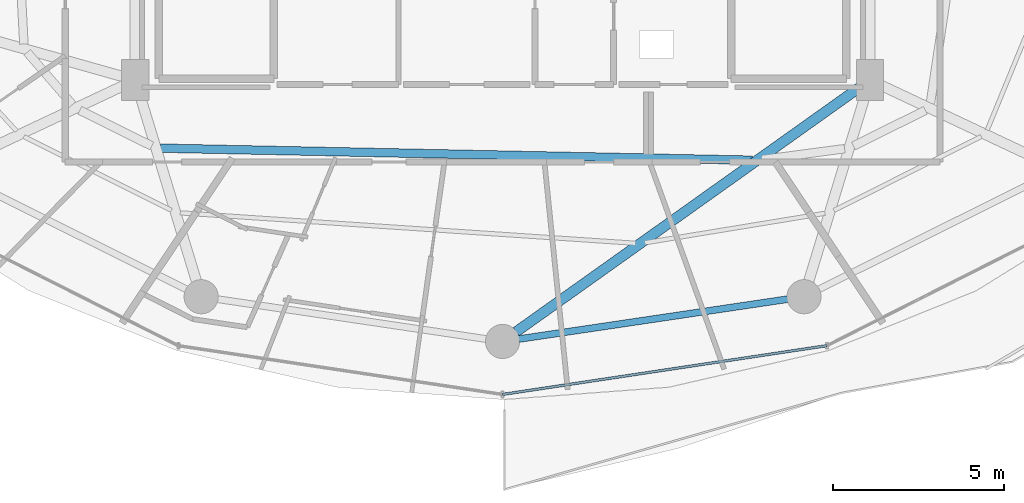
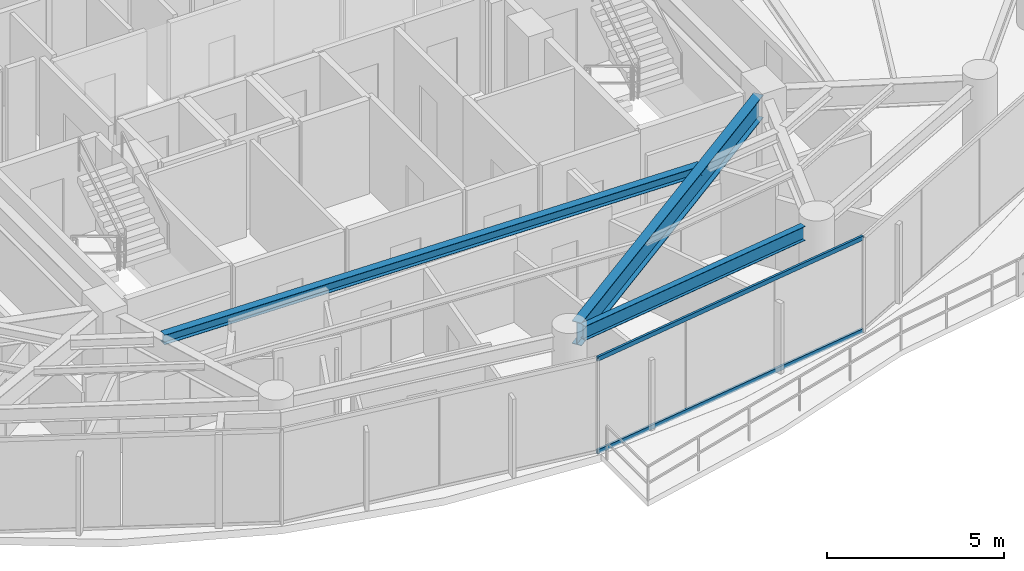
# One storey, part 7 of 30: 3 beams, 2 members, 1 element without a shape of its own.
"""IFC4 building model written with IfcOpenShell, lengths in metres."""

from ifc_helpers import new_model, si_unit, direction, frame, origin, origin_2d, place, context, subcontext, project, spatial, hollow_rectangle, i_section, extrude, material, material_profile, profile_set, type_object, element, aggregate, save


model = new_model("IFC4")

# Units and contexts
model_context = context("Model", 3, precision=1e-05, world=origin(), true_north=direction((0.0, 1.0)))
body_context = subcontext(model_context, "Body", "Model", "MODEL_VIEW")
ifc_project = project(units=[si_unit("LENGTHUNIT", "METRE"), si_unit("AREAUNIT", "SQUARE_METRE"), si_unit("VOLUMEUNIT", "CUBIC_METRE"), si_unit("PLANEANGLEUNIT", "RADIAN"), si_unit("MASSUNIT", "GRAM", prefix="KILO")], contexts=[model_context])

# Site, building, storey
site_placement = place(None, origin())
site = spatial("IfcSite", under=ifc_project, at=site_placement, CompositionType="ELEMENT")
building_placement = place(site_placement, origin())
building = spatial("IfcBuilding", under=site, at=building_placement, Name="Vorneva Point Tower", CompositionType="ELEMENT")
storey_placement = place(building_placement, frame((0.0, 0.0, 157.10009765625)))
storey = spatial("IfcBuildingStorey", under=building, at=storey_placement, Name="L42", CompositionType="ELEMENT", Elevation=157.10009765625)

# Beams
ifc_material_1 = material(Name="Steel S355", Category="steel")
ifc_material_profile_1 = material_profile(ifc_material_1, i_section(OverallWidth=0.300048828125, OverallDepth=0.7880859375, WebThickness=0.014404296875, FlangeThickness=0.02197265625, at=origin_2d()), Name="80Sh1")
ifc_profile_set_1 = profile_set([ifc_material_profile_1], Name="Steel S355")
beam_type_1 = type_object("IfcBeamType", Name="BM-GRD-80Sh1", PredefinedType="USERDEFINED", material=ifc_profile_set_1)
beam_1_placement = place(storey_placement, frame((38.397705078125, 9.0830078125, 2.845947265625), z_axis=(0.814751382529, 0.579810473057, 0.0), x_axis=(-0.579810473057, 0.814751382529, 0.0)))
element("IfcBeam", 1, at=beam_1_placement, inside=storey, type_object=beam_type_1, Name="L42 Radial Primary Girder 13", ObjectType="GIRDER", PredefinedType="USERDEFINED", context=body_context, shape_type="SweptSolid", body=[
    extrude(i_section(OverallWidth=0.300048828125, OverallDepth=0.7880859375, WebThickness=0.014404296875, FlangeThickness=0.02197265625, at=origin_2d()), origin(), (0.0, 0.0, 1.0), 12.365966796875),
])
ifc_material_profile_2 = material_profile(ifc_material_1, i_section(OverallWidth=0.2490234375, OverallDepth=0.333984375, WebThickness=0.008056640625, FlangeThickness=0.010986328125, at=origin_2d()), Name="35Sh1")
ifc_profile_set_2 = profile_set([ifc_material_profile_2], Name="Steel S355")
beam_type_2 = type_object("IfcBeamType", Name="BM-SEC-35Sh1", PredefinedType="BEAM", material=ifc_profile_set_2)
beam_2_placement = place(storey_placement, frame((27.993408203125, 14.457275390625, 3.072998046875), z_axis=(0.999792890829, -0.020351300897, 0.0), x_axis=(0.020351300897, 0.999792890829, 0.0)))
element("IfcBeam", 2, at=beam_2_placement, inside=storey, type_object=beam_type_2, Name="L42 Secondary Floor Beam 2.12", PredefinedType="BEAM", context=body_context, shape_type="SweptSolid", body=[
    extrude(i_section(OverallWidth=0.2490234375, OverallDepth=0.333984375, WebThickness=0.008056640625, FlangeThickness=0.010986328125, at=origin_2d()), origin(), (0.0, 0.0, 1.0), 17.32275390625),
])
ifc_material_profile_3 = material_profile(ifc_material_1, i_section(OverallWidth=0.199951171875, OverallDepth=0.491943359375, WebThickness=0.0087890625, FlangeThickness=0.011962890625, at=origin_2d()), Name="50B1")
ifc_profile_set_3 = profile_set([ifc_material_profile_3], Name="Steel S355")
beam_type_3 = type_object("IfcBeamType", Name="BM-SPN-50B1", PredefinedType="SPANDREL", material=ifc_profile_set_3)
beam_3_placement = place(storey_placement, frame((38.479736328125, 8.87109375, 2.993896484375), z_axis=(0.989161199046, 0.146833655211, 0.0), x_axis=(-0.146833655211, 0.989161199046, 0.0)))
element("IfcBeam", 3, at=beam_3_placement, inside=storey, type_object=beam_type_3, Name="L42 Perimeter Spandrel Ring Beam 13", PredefinedType="SPANDREL", context=body_context, shape_type="SweptSolid", body=[
    extrude(i_section(OverallWidth=0.199951171875, OverallDepth=0.491943359375, WebThickness=0.0087890625, FlangeThickness=0.011962890625, at=origin_2d()), origin(), (0.0, 0.0, 1.0), 7.94775390625),
])

# Curtain wall, members
ifc_material_2 = material(Name="Pale anodised aluminium", Category="aluminium")
curtain_wall_type = type_object("IfcCurtainWallType", Name="CW-RES-SYS", PredefinedType="NOTDEFINED", material=ifc_material_2)
curtain_wall_placement = place(storey_placement, origin())
curtain_wall = element("IfcCurtainWall", 4, at=curtain_wall_placement, inside=storey, type_object=curtain_wall_type, Name="L42 Unitised Curtain Wall CW-L42-R04", PredefinedType="NOTDEFINED")
ifc_material_profile_4 = material_profile(ifc_material_2, hollow_rectangle(XDim=0.074951171875, YDim=0.14990234375, WallThickness=0.00390625, at=origin_2d()), Name="AL-TRN 150x75x4")
ifc_profile_set_4 = profile_set([ifc_material_profile_4], Name="Pale anodised aluminium")
member_type = type_object("IfcMemberType", Name="CW-TRN-150", PredefinedType="USERDEFINED", material=ifc_profile_set_4)
member_1_placement = place(storey_placement, frame((38.0, 7.25, 0.02001953125), z_axis=(0.988880117727, 0.148714870687, 0.0), x_axis=(-0.148714870687, 0.988880117727, 0.0)))
member_1 = element("IfcMember", 5, at=member_1_placement, type_object=member_type, Name="CW-L42-R04 Transom 03.1", ObjectType="TRANSOM", PredefinedType="USERDEFINED", context=body_context, shape_type="SweptSolid", body=[
    extrude(hollow_rectangle(XDim=0.074951171875, YDim=0.14990234375, WallThickness=0.00390625, at=origin_2d()), origin(), (0.0, 0.0, 1.0), 9.59716796875),
])
member_2_placement = place(storey_placement, frame((38.0, 7.25, 3.219970703125), z_axis=(0.988880117727, 0.148714870687, 0.0), x_axis=(-0.148714870687, 0.988880117727, 0.0)))
member_2 = element("IfcMember", 6, at=member_2_placement, type_object=member_type, Name="CW-L42-R04 Transom 03.2", ObjectType="TRANSOM", PredefinedType="USERDEFINED", context=body_context, shape_type="SweptSolid", body=[
    extrude(hollow_rectangle(XDim=0.074951171875, YDim=0.14990234375, WallThickness=0.00390625, at=origin_2d()), origin(), (0.0, 0.0, 1.0), 9.59716796875),
])
aggregate(curtain_wall, [member_1, member_2])

save(model, "model.ifc")
